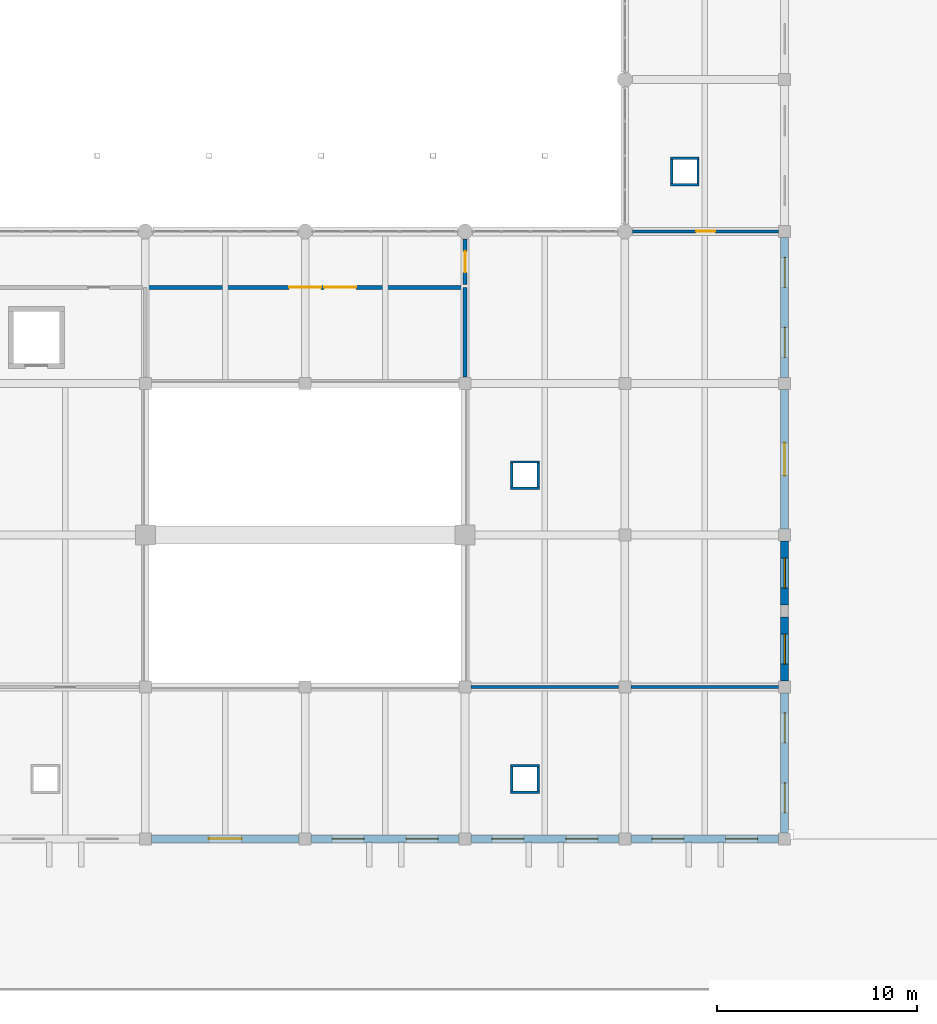
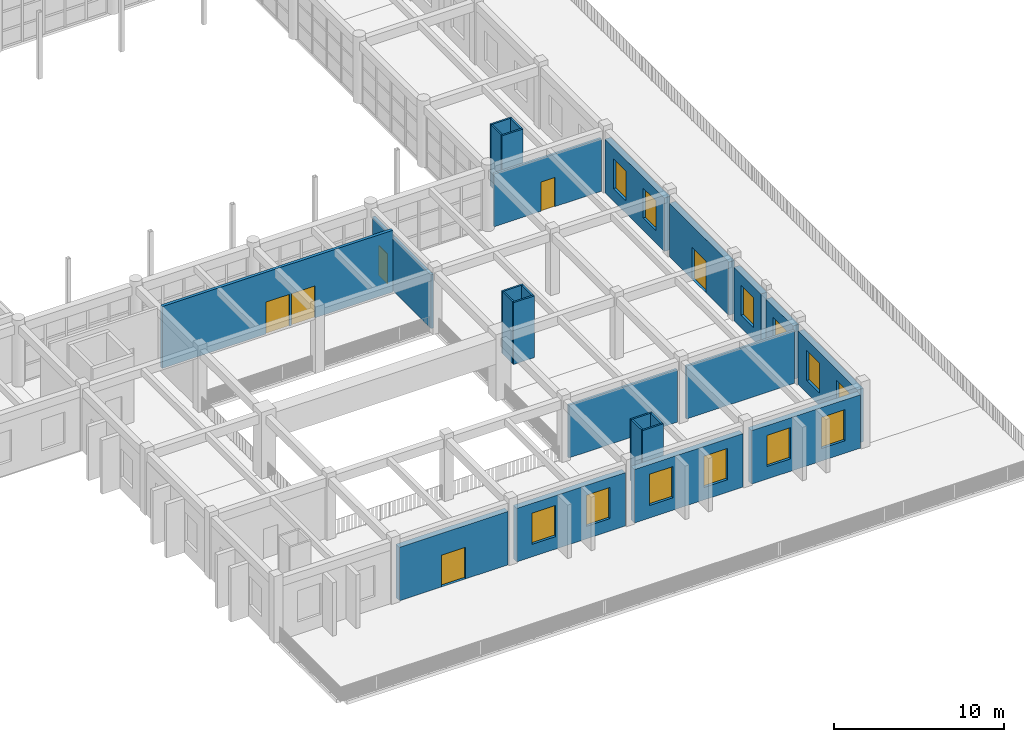
# One storey, part 81 of 101: 27 walls, 12 windows, 6 doors, 18 openings.
"""IFC4 building model written with IfcOpenShell, lengths in metres."""

from ifc_helpers import new_model, si_unit, direction, frame, frame_2d, origin, place, context, subcontext, project, spatial, rectangle, extrude, material, layer, layer_set, type_object, element, fill, save


model = new_model("IFC4")

# Units and contexts
model_context = context("Model", 3, precision=1e-05, world=origin(), true_north=direction((0.0, 1.0)))
body_context = subcontext(model_context, "Body", "Model", "MODEL_VIEW")
ifc_project = project(units=[si_unit("LENGTHUNIT", "METRE"), si_unit("AREAUNIT", "SQUARE_METRE"), si_unit("VOLUMEUNIT", "CUBIC_METRE"), si_unit("PLANEANGLEUNIT", "RADIAN"), si_unit("MASSUNIT", "GRAM", prefix="KILO")], contexts=[model_context])

# Site, building, storey
site_placement = place(None, origin())
site = spatial("IfcSite", under=ifc_project, at=site_placement, CompositionType="ELEMENT")
building_placement = place(site_placement, origin())
building = spatial("IfcBuilding", under=site, at=building_placement, Name="Zantavel Square City Hall", CompositionType="ELEMENT")
storey_placement = place(building_placement, frame((0.0, 0.0, 5.39990234375)))
storey = spatial("IfcBuildingStorey", under=building, at=storey_placement, Name="L02", CompositionType="ELEMENT", Elevation=5.39990234375)

# Wall, openings, windows
ifc_material_1 = material(Name="Cantera volcanic tuff stone", Category="masonry")
ifc_layer_1 = layer(ifc_material_1, 0.39990234375, Name="Cantera volcanic tuff stone")
ifc_layer_set_1 = layer_set([ifc_layer_1], Name="Cantera volcanic tuff stone")
wall_type_1 = type_object("IfcWallType", Name="Civic Pavilion Cantera Ashlar Wall 400mm", PredefinedType="STANDARD", material=ifc_layer_set_1)
wall_1_placement = place(storey_placement, frame((160.0, 37.699951171875, 0.0), z_axis=(0.0, 0.0, 1.0), x_axis=(0.0, -1.0, 0.0)))
wall_1 = element("IfcWall", 1, at=wall_1_placement, inside=storey, type_object=wall_type_1, Name="L02 Exterior Wall EW-L02-057", PredefinedType="STANDARD", context=body_context, shape_type="SweptSolid", body=[
    extrude(rectangle(XDim=7.0, YDim=0.39990234375, at=frame_2d((3.5, 0.0))), origin(), (0.0, 0.0, 1.0), 3.85009765625),
])
opening_1_placement = place(wall_1_placement, frame((1.0, 0.0, 0.89990234375)))
opening_1 = element("IfcOpeningElement", 2, at=opening_1_placement, cuts=wall_1, Name="Opening W-235", PredefinedType="OPENING", context=body_context, shape_type="SweptSolid", body=[
    extrude(rectangle(XDim=1.5, YDim=2.14990234375, at=frame_2d((0.75, 1.074951171875))), frame((0.0, 0.2099609375, 0.0), z_axis=(0.0, -1.0, 0.0), x_axis=(1.0, 0.0, 0.0)), (0.0, 0.0, 1.0), 0.419921875),
])
opening_2_placement = place(wall_1_placement, frame((4.5, 0.0, 0.89990234375)))
opening_2 = element("IfcOpeningElement", 3, at=opening_2_placement, cuts=wall_1, Name="Opening W-236", PredefinedType="OPENING", context=body_context, shape_type="SweptSolid", body=[
    extrude(rectangle(XDim=1.5, YDim=2.14990234375, at=frame_2d((0.75, 1.074951171875))), frame((0.0, 0.2099609375, 0.0), z_axis=(0.0, -1.0, 0.0), x_axis=(1.0, 0.0, 0.0)), (0.0, 0.0, 1.0), 0.419921875),
])
ifc_material_2 = material(Name="Tempered safety glass low-E double glazing", Category="glass")
window_type_1 = type_object("IfcWindowType", Name="Window Mezzanine Annex 1500x2150", PartitioningType="DOUBLE_PANEL_VERTICAL", PredefinedType="WINDOW", material=ifc_material_2)
window_1_placement = place(opening_1_placement, origin())
window_1 = element("IfcWindow", 4, at=window_1_placement, inside=storey, type_object=window_type_1, Name="L02 Window W-235", OverallHeight=2.14990234375, OverallWidth=1.5, PartitioningType="DOUBLE_PANEL_VERTICAL", PredefinedType="WINDOW", context=body_context, shape_type="SweptSolid", body=[
    extrude(rectangle(XDim=1.5, YDim=2.14990234375, at=frame_2d((0.75, 1.074951171875))), frame((0.0, 0.030029296875, 0.0), z_axis=(0.0, -1.0, 0.0), x_axis=(1.0, 0.0, 0.0)), (0.0, 0.0, 1.0), 0.06005859375),
])
fill(opening_1, window_1)
window_2_placement = place(opening_2_placement, origin())
window_2 = element("IfcWindow", 5, at=window_2_placement, inside=storey, type_object=window_type_1, Name="L02 Window W-236", OverallHeight=2.14990234375, OverallWidth=1.5, PartitioningType="DOUBLE_PANEL_VERTICAL", PredefinedType="WINDOW", context=body_context, shape_type="SweptSolid", body=[
    extrude(rectangle(XDim=1.5, YDim=2.14990234375, at=frame_2d((0.75, 1.074951171875))), frame((0.0, 0.030029296875, 0.0), z_axis=(0.0, -1.0, 0.0), x_axis=(1.0, 0.0, 0.0)), (0.0, 0.0, 1.0), 0.06005859375),
])
fill(opening_2, window_2)

# Wall, opening, door
wall_2_placement = place(storey_placement, frame((160.0, 30.10009765625, 0.0), z_axis=(0.0, 0.0, 1.0), x_axis=(0.0, -1.0, 0.0)))
wall_2 = element("IfcWall", 6, at=wall_2_placement, inside=storey, type_object=wall_type_1, Name="L02 Exterior Wall EW-L02-058", PredefinedType="STANDARD", context=body_context, shape_type="SweptSolid", body=[
    extrude(rectangle(XDim=7.0, YDim=0.39990234375, at=frame_2d((3.5, 0.0))), origin(), (0.0, 0.0, 1.0), 3.85009765625),
])
opening_3_placement = place(wall_2_placement, frame((2.679931640625, 0.0, 0.0)))
opening_3 = element("IfcOpeningElement", 7, at=opening_3_placement, cuts=wall_2, Name="Opening ED-019", PredefinedType="OPENING", context=body_context, shape_type="SweptSolid", body=[
    extrude(rectangle(XDim=1.639892578125, YDim=2.280029296875, at=frame_2d((0.81982421875, 1.14013671875))), frame((0.0, 0.2099609375, 0.0), z_axis=(0.0, -1.0, 0.0), x_axis=(1.0, 0.0, 0.0)), (0.0, 0.0, 1.0), 0.419921875),
])
ifc_material_3 = material(Name="Anodised aluminium 6063-T6", Category="aluminium")
door_type_1 = type_object("IfcDoorType", Name="Promenade Terrace Glazed Door 1640x2280", OperationType="NOTDEFINED", PredefinedType="DOOR", material=ifc_material_3)
door_1_placement = place(opening_3_placement, origin())
door_1 = element("IfcDoor", 8, at=door_1_placement, inside=storey, type_object=door_type_1, Name="East Promenade Lateral Terrace Door", OperationType="DOUBLE_DOOR_SINGLE_SWING", OverallHeight=2.280029296875, OverallWidth=1.639892578125, PredefinedType="DOOR", context=body_context, shape_type="SweptSolid", body=[
    extrude(rectangle(XDim=1.639892578125, YDim=2.280029296875, at=frame_2d((0.81982421875, 1.14013671875))), frame((0.0, 0.02490234375, 0.0), z_axis=(0.0, -1.0, 0.0), x_axis=(1.0, 0.0, 0.0)), (0.0, 0.0, 1.0), 0.050048828125),
])
fill(opening_3, door_1)

# Wall, opening, window
wall_3_placement = place(storey_placement, frame((160.0, 22.5, 0.0), z_axis=(0.0, 0.0, 1.0), x_axis=(0.0, -1.0, 0.0)))
wall_3 = element("IfcWall", 9, at=wall_3_placement, inside=storey, type_object=wall_type_1, Name="L02 Exterior Wall EW-L02-059", PredefinedType="STANDARD", context=body_context, shape_type="SweptSolid", body=[
    extrude(rectangle(XDim=3.199951171875, YDim=0.39990234375, at=frame_2d((1.60009765625, 0.0))), origin(), (0.0, 0.0, 1.0), 3.85009765625),
])
opening_4_placement = place(wall_3_placement, frame((0.85009765625, 0.0, 0.89990234375)))
opening_4 = element("IfcOpeningElement", 10, at=opening_4_placement, cuts=wall_3, Name="Opening W-237", PredefinedType="OPENING", context=body_context, shape_type="SweptSolid", body=[
    extrude(rectangle(XDim=1.5, YDim=2.14990234375, at=frame_2d((0.75, 1.074951171875))), frame((0.0, 0.2099609375, 0.0), z_axis=(0.0, -1.0, 0.0), x_axis=(1.0, 0.0, 0.0)), (0.0, 0.0, 1.0), 0.419921875),
])
window_3_placement = place(opening_4_placement, origin())
window_3 = element("IfcWindow", 11, at=window_3_placement, inside=storey, type_object=window_type_1, Name="L02 Window W-237", OverallHeight=2.14990234375, OverallWidth=1.5, PartitioningType="DOUBLE_PANEL_VERTICAL", PredefinedType="WINDOW", context=body_context, shape_type="SweptSolid", body=[
    extrude(rectangle(XDim=1.5, YDim=2.14990234375, at=frame_2d((0.75, 1.074951171875))), frame((0.0, 0.030029296875, 0.0), z_axis=(0.0, -1.0, 0.0), x_axis=(1.0, 0.0, 0.0)), (0.0, 0.0, 1.0), 0.06005859375),
])
fill(opening_4, window_3)

wall_4_placement = place(storey_placement, frame((160.0, 18.699951171875, 0.0), z_axis=(0.0, 0.0, 1.0), x_axis=(0.0, -1.0, 0.0)))
wall_4 = element("IfcWall", 12, at=wall_4_placement, inside=storey, type_object=wall_type_1, Name="L02 Exterior Wall EW-L02-060", PredefinedType="STANDARD", context=body_context, shape_type="SweptSolid", body=[
    extrude(rectangle(XDim=3.199951171875, YDim=0.39990234375, at=frame_2d((1.60009765625, 0.0))), origin(), (0.0, 0.0, 1.0), 3.85009765625),
])
opening_5_placement = place(wall_4_placement, frame((0.85009765625, 0.0, 0.89990234375)))
opening_5 = element("IfcOpeningElement", 13, at=opening_5_placement, cuts=wall_4, Name="Opening W-238", PredefinedType="OPENING", context=body_context, shape_type="SweptSolid", body=[
    extrude(rectangle(XDim=1.5, YDim=2.14990234375, at=frame_2d((0.75, 1.074951171875))), frame((0.0, 0.2099609375, 0.0), z_axis=(0.0, -1.0, 0.0), x_axis=(1.0, 0.0, 0.0)), (0.0, 0.0, 1.0), 0.419921875),
])
window_4_placement = place(opening_5_placement, origin())
window_4 = element("IfcWindow", 14, at=window_4_placement, inside=storey, type_object=window_type_1, Name="L02 Window W-238", OverallHeight=2.14990234375, OverallWidth=1.5, PartitioningType="DOUBLE_PANEL_VERTICAL", PredefinedType="WINDOW", context=body_context, shape_type="SweptSolid", body=[
    extrude(rectangle(XDim=1.5, YDim=2.14990234375, at=frame_2d((0.75, 1.074951171875))), frame((0.0, 0.030029296875, 0.0), z_axis=(0.0, -1.0, 0.0), x_axis=(1.0, 0.0, 0.0)), (0.0, 0.0, 1.0), 0.06005859375),
])
fill(opening_5, window_4)

# Wall, openings, windows
wall_5_placement = place(storey_placement, frame((160.0, 14.89990234375, 0.0), z_axis=(0.0, 0.0, 1.0), x_axis=(0.0, -1.0, 0.0)))
wall_5 = element("IfcWall", 15, at=wall_5_placement, inside=storey, type_object=wall_type_1, Name="L02 Exterior Wall EW-L02-061", PredefinedType="STANDARD", context=body_context, shape_type="SweptSolid", body=[
    extrude(rectangle(XDim=7.0, YDim=0.39990234375, at=frame_2d((3.5, 0.0))), origin(), (0.0, 0.0, 1.0), 3.85009765625),
])
opening_6_placement = place(wall_5_placement, frame((1.0, 0.0, 0.89990234375)))
opening_6 = element("IfcOpeningElement", 16, at=opening_6_placement, cuts=wall_5, Name="Opening W-239", PredefinedType="OPENING", context=body_context, shape_type="SweptSolid", body=[
    extrude(rectangle(XDim=1.5, YDim=2.14990234375, at=frame_2d((0.75, 1.074951171875))), frame((0.0, 0.2099609375, 0.0), z_axis=(0.0, -1.0, 0.0), x_axis=(1.0, 0.0, 0.0)), (0.0, 0.0, 1.0), 0.419921875),
])
opening_7_placement = place(wall_5_placement, frame((4.5, 0.0, 0.89990234375)))
opening_7 = element("IfcOpeningElement", 17, at=opening_7_placement, cuts=wall_5, Name="Opening W-240", PredefinedType="OPENING", context=body_context, shape_type="SweptSolid", body=[
    extrude(rectangle(XDim=1.5, YDim=2.14990234375, at=frame_2d((0.75, 1.074951171875))), frame((0.0, 0.2099609375, 0.0), z_axis=(0.0, -1.0, 0.0), x_axis=(1.0, 0.0, 0.0)), (0.0, 0.0, 1.0), 0.419921875),
])
window_5_placement = place(opening_6_placement, origin())
window_5 = element("IfcWindow", 18, at=window_5_placement, inside=storey, type_object=window_type_1, Name="L02 Window W-239", OverallHeight=2.14990234375, OverallWidth=1.5, PartitioningType="DOUBLE_PANEL_VERTICAL", PredefinedType="WINDOW", context=body_context, shape_type="SweptSolid", body=[
    extrude(rectangle(XDim=1.5, YDim=2.14990234375, at=frame_2d((0.75, 1.074951171875))), frame((0.0, 0.030029296875, 0.0), z_axis=(0.0, -1.0, 0.0), x_axis=(1.0, 0.0, 0.0)), (0.0, 0.0, 1.0), 0.06005859375),
])
fill(opening_6, window_5)
window_6_placement = place(opening_7_placement, origin())
window_6 = element("IfcWindow", 19, at=window_6_placement, inside=storey, type_object=window_type_1, Name="L02 Window W-240", OverallHeight=2.14990234375, OverallWidth=1.5, PartitioningType="DOUBLE_PANEL_VERTICAL", PredefinedType="WINDOW", context=body_context, shape_type="SweptSolid", body=[
    extrude(rectangle(XDim=1.5, YDim=2.14990234375, at=frame_2d((0.75, 1.074951171875))), frame((0.0, 0.030029296875, 0.0), z_axis=(0.0, -1.0, 0.0), x_axis=(1.0, 0.0, 0.0)), (0.0, 0.0, 1.0), 0.06005859375),
])
fill(opening_7, window_6)

wall_6_placement = place(storey_placement, frame((159.699951171875, 7.60009765625, 0.0), z_axis=(0.0, 0.0, 1.0), x_axis=(-1.0, 0.0, 0.0)))
wall_6 = element("IfcWall", 20, at=wall_6_placement, inside=storey, type_object=wall_type_1, Name="L02 Exterior Wall EW-L02-062", PredefinedType="STANDARD", context=body_context, shape_type="SweptSolid", body=[
    extrude(rectangle(XDim=7.39990234375, YDim=0.39990234375, at=frame_2d((3.699951171875, 0.0))), origin(), (0.0, 0.0, 1.0), 3.85009765625),
])
opening_8_placement = place(wall_6_placement, frame((1.050048828125, 0.0, 0.89990234375)))
opening_8 = element("IfcOpeningElement", 21, at=opening_8_placement, cuts=wall_6, Name="Opening W-241", PredefinedType="OPENING", context=body_context, shape_type="SweptSolid", body=[
    extrude(rectangle(XDim=1.60009765625, YDim=2.25, at=frame_2d((0.800048828125, 1.125))), frame((0.0, 0.2099609375, 0.0), z_axis=(0.0, -1.0, 0.0), x_axis=(1.0, 0.0, 0.0)), (0.0, 0.0, 1.0), 0.419921875),
])
opening_9_placement = place(wall_6_placement, frame((4.75, 0.0, 0.89990234375)))
opening_9 = element("IfcOpeningElement", 22, at=opening_9_placement, cuts=wall_6, Name="Opening W-242", PredefinedType="OPENING", context=body_context, shape_type="SweptSolid", body=[
    extrude(rectangle(XDim=1.60009765625, YDim=2.25, at=frame_2d((0.800048828125, 1.125))), frame((0.0, 0.2099609375, 0.0), z_axis=(0.0, -1.0, 0.0), x_axis=(1.0, 0.0, 0.0)), (0.0, 0.0, 1.0), 0.419921875),
])
window_type_2 = type_object("IfcWindowType", Name="Window Mezzanine Civic 1600x2250", PartitioningType="DOUBLE_PANEL_VERTICAL", PredefinedType="WINDOW", material=ifc_material_2)
window_7_placement = place(opening_8_placement, origin())
window_7 = element("IfcWindow", 23, at=window_7_placement, inside=storey, type_object=window_type_2, Name="L02 Window W-241", OverallHeight=2.25, OverallWidth=1.60009765625, PartitioningType="DOUBLE_PANEL_VERTICAL", PredefinedType="WINDOW", context=body_context, shape_type="SweptSolid", body=[
    extrude(rectangle(XDim=1.60009765625, YDim=2.25, at=frame_2d((0.800048828125, 1.125))), frame((0.0, 0.030029296875, 0.0), z_axis=(0.0, -1.0, 0.0), x_axis=(1.0, 0.0, 0.0)), (0.0, 0.0, 1.0), 0.06005859375),
])
fill(opening_8, window_7)
window_8_placement = place(opening_9_placement, origin())
window_8 = element("IfcWindow", 24, at=window_8_placement, inside=storey, type_object=window_type_2, Name="L02 Window W-242", OverallHeight=2.25, OverallWidth=1.60009765625, PartitioningType="DOUBLE_PANEL_VERTICAL", PredefinedType="WINDOW", context=body_context, shape_type="SweptSolid", body=[
    extrude(rectangle(XDim=1.60009765625, YDim=2.25, at=frame_2d((0.800048828125, 1.125))), frame((0.0, 0.030029296875, 0.0), z_axis=(0.0, -1.0, 0.0), x_axis=(1.0, 0.0, 0.0)), (0.0, 0.0, 1.0), 0.06005859375),
])
fill(opening_9, window_8)

wall_7_placement = place(storey_placement, frame((151.699951171875, 7.60009765625, 0.0), z_axis=(0.0, 0.0, 1.0), x_axis=(-1.0, 0.0, 0.0)))
wall_7 = element("IfcWall", 25, at=wall_7_placement, inside=storey, type_object=wall_type_1, Name="L02 Exterior Wall EW-L02-063", PredefinedType="STANDARD", context=body_context, shape_type="SweptSolid", body=[
    extrude(rectangle(XDim=7.39990234375, YDim=0.39990234375, at=frame_2d((3.699951171875, 0.0))), origin(), (0.0, 0.0, 1.0), 3.85009765625),
])
opening_10_placement = place(wall_7_placement, frame((1.050048828125, 0.0, 0.89990234375)))
opening_10 = element("IfcOpeningElement", 26, at=opening_10_placement, cuts=wall_7, Name="Opening W-243", PredefinedType="OPENING", context=body_context, shape_type="SweptSolid", body=[
    extrude(rectangle(XDim=1.60009765625, YDim=2.25, at=frame_2d((0.800048828125, 1.125))), frame((0.0, 0.2099609375, 0.0), z_axis=(0.0, -1.0, 0.0), x_axis=(1.0, 0.0, 0.0)), (0.0, 0.0, 1.0), 0.419921875),
])
opening_11_placement = place(wall_7_placement, frame((4.75, 0.0, 0.89990234375)))
opening_11 = element("IfcOpeningElement", 27, at=opening_11_placement, cuts=wall_7, Name="Opening W-244", PredefinedType="OPENING", context=body_context, shape_type="SweptSolid", body=[
    extrude(rectangle(XDim=1.60009765625, YDim=2.25, at=frame_2d((0.800048828125, 1.125))), frame((0.0, 0.2099609375, 0.0), z_axis=(0.0, -1.0, 0.0), x_axis=(1.0, 0.0, 0.0)), (0.0, 0.0, 1.0), 0.419921875),
])
window_9_placement = place(opening_10_placement, origin())
window_9 = element("IfcWindow", 28, at=window_9_placement, inside=storey, type_object=window_type_2, Name="L02 Window W-243", OverallHeight=2.25, OverallWidth=1.60009765625, PartitioningType="DOUBLE_PANEL_VERTICAL", PredefinedType="WINDOW", context=body_context, shape_type="SweptSolid", body=[
    extrude(rectangle(XDim=1.60009765625, YDim=2.25, at=frame_2d((0.800048828125, 1.125))), frame((0.0, 0.030029296875, 0.0), z_axis=(0.0, -1.0, 0.0), x_axis=(1.0, 0.0, 0.0)), (0.0, 0.0, 1.0), 0.06005859375),
])
fill(opening_10, window_9)
window_10_placement = place(opening_11_placement, origin())
window_10 = element("IfcWindow", 29, at=window_10_placement, inside=storey, type_object=window_type_2, Name="L02 Window W-244", OverallHeight=2.25, OverallWidth=1.60009765625, PartitioningType="DOUBLE_PANEL_VERTICAL", PredefinedType="WINDOW", context=body_context, shape_type="SweptSolid", body=[
    extrude(rectangle(XDim=1.60009765625, YDim=2.25, at=frame_2d((0.800048828125, 1.125))), frame((0.0, 0.030029296875, 0.0), z_axis=(0.0, -1.0, 0.0), x_axis=(1.0, 0.0, 0.0)), (0.0, 0.0, 1.0), 0.06005859375),
])
fill(opening_11, window_10)

wall_8_placement = place(storey_placement, frame((143.699951171875, 7.60009765625, 0.0), z_axis=(0.0, 0.0, 1.0), x_axis=(-1.0, 0.0, 0.0)))
wall_8 = element("IfcWall", 30, at=wall_8_placement, inside=storey, type_object=wall_type_1, Name="L02 Exterior Wall EW-L02-064", PredefinedType="STANDARD", context=body_context, shape_type="SweptSolid", body=[
    extrude(rectangle(XDim=7.39990234375, YDim=0.39990234375, at=frame_2d((3.699951171875, 0.0))), origin(), (0.0, 0.0, 1.0), 3.85009765625),
])
opening_12_placement = place(wall_8_placement, frame((1.050048828125, 0.0, 0.89990234375)))
opening_12 = element("IfcOpeningElement", 31, at=opening_12_placement, cuts=wall_8, Name="Opening W-245", PredefinedType="OPENING", context=body_context, shape_type="SweptSolid", body=[
    extrude(rectangle(XDim=1.60009765625, YDim=2.25, at=frame_2d((0.800048828125, 1.125))), frame((0.0, 0.2099609375, 0.0), z_axis=(0.0, -1.0, 0.0), x_axis=(1.0, 0.0, 0.0)), (0.0, 0.0, 1.0), 0.419921875),
])
opening_13_placement = place(wall_8_placement, frame((4.75, 0.0, 0.89990234375)))
opening_13 = element("IfcOpeningElement", 32, at=opening_13_placement, cuts=wall_8, Name="Opening W-246", PredefinedType="OPENING", context=body_context, shape_type="SweptSolid", body=[
    extrude(rectangle(XDim=1.60009765625, YDim=2.25, at=frame_2d((0.800048828125, 1.125))), frame((0.0, 0.2099609375, 0.0), z_axis=(0.0, -1.0, 0.0), x_axis=(1.0, 0.0, 0.0)), (0.0, 0.0, 1.0), 0.419921875),
])
window_11_placement = place(opening_12_placement, origin())
window_11 = element("IfcWindow", 33, at=window_11_placement, inside=storey, type_object=window_type_2, Name="L02 Window W-245", OverallHeight=2.25, OverallWidth=1.60009765625, PartitioningType="DOUBLE_PANEL_VERTICAL", PredefinedType="WINDOW", context=body_context, shape_type="SweptSolid", body=[
    extrude(rectangle(XDim=1.60009765625, YDim=2.25, at=frame_2d((0.800048828125, 1.125))), frame((0.0, 0.030029296875, 0.0), z_axis=(0.0, -1.0, 0.0), x_axis=(1.0, 0.0, 0.0)), (0.0, 0.0, 1.0), 0.06005859375),
])
fill(opening_12, window_11)
window_12_placement = place(opening_13_placement, origin())
window_12 = element("IfcWindow", 34, at=window_12_placement, inside=storey, type_object=window_type_2, Name="L02 Window W-246", OverallHeight=2.25, OverallWidth=1.60009765625, PartitioningType="DOUBLE_PANEL_VERTICAL", PredefinedType="WINDOW", context=body_context, shape_type="SweptSolid", body=[
    extrude(rectangle(XDim=1.60009765625, YDim=2.25, at=frame_2d((0.800048828125, 1.125))), frame((0.0, 0.030029296875, 0.0), z_axis=(0.0, -1.0, 0.0), x_axis=(1.0, 0.0, 0.0)), (0.0, 0.0, 1.0), 0.06005859375),
])
fill(opening_13, window_12)

# Wall, opening, door
wall_9_placement = place(storey_placement, frame((135.699951171875, 7.60009765625, 0.0), z_axis=(0.0, 0.0, 1.0), x_axis=(-1.0, 0.0, 0.0)))
wall_9 = element("IfcWall", 35, at=wall_9_placement, inside=storey, type_object=wall_type_1, Name="L02 Exterior Wall EW-L02-065", PredefinedType="STANDARD", context=body_context, shape_type="SweptSolid", body=[
    extrude(rectangle(XDim=7.39990234375, YDim=0.39990234375, at=frame_2d((3.699951171875, 0.0))), origin(), (0.0, 0.0, 1.0), 3.85009765625),
])
opening_14_placement = place(wall_9_placement, frame((2.8798828125, 0.0, 0.0)))
opening_14 = element("IfcOpeningElement", 36, at=opening_14_placement, cuts=wall_9, Name="Opening ED-020", PredefinedType="OPENING", context=body_context, shape_type="SweptSolid", body=[
    extrude(rectangle(XDim=1.639892578125, YDim=2.280029296875, at=frame_2d((0.81982421875, 1.14013671875))), frame((0.0, 0.2099609375, 0.0), z_axis=(0.0, -1.0, 0.0), x_axis=(1.0, 0.0, 0.0)), (0.0, 0.0, 1.0), 0.419921875),
])
door_2_placement = place(opening_14_placement, origin())
door_2 = element("IfcDoor", 37, at=door_2_placement, inside=storey, type_object=door_type_1, Name="East Promenade South Terrace Door", OperationType="DOUBLE_DOOR_SINGLE_SWING", OverallHeight=2.280029296875, OverallWidth=1.639892578125, PredefinedType="DOOR", context=body_context, shape_type="SweptSolid", body=[
    extrude(rectangle(XDim=1.639892578125, YDim=2.280029296875, at=frame_2d((0.81982421875, 1.14013671875))), frame((0.0, 0.02490234375, 0.0), z_axis=(0.0, -1.0, 0.0), x_axis=(1.0, 0.0, 0.0)), (0.0, 0.0, 1.0), 0.050048828125),
])
fill(opening_14, door_2)

# Wall
ifc_material_4 = material(Name="Gypsum acoustic stud assembly", Category="masonry")
ifc_layer_2 = layer(ifc_material_4, 0.179931640625, Name="Gypsum acoustic stud assembly")
ifc_layer_set_2 = layer_set([ifc_layer_2], Name="Gypsum acoustic stud assembly")
wall_type_2 = type_object("IfcWallType", Name="Council Acoustic Partition 180mm", PredefinedType="PARTITIONING", material=ifc_layer_set_2)
wall_10_placement = place(storey_placement, frame((144.0, 35.199951171875, 0.0), z_axis=(0.0, 0.0, 1.0), x_axis=(0.0, -1.0, 0.0)))
element("IfcWall", 38, at=wall_10_placement, inside=storey, type_object=wall_type_2, Name="L02 Interior Wall IW-L02-0184", PredefinedType="PARTITIONING", context=body_context, shape_type="SweptSolid", body=[
    extrude(rectangle(XDim=4.489990234375, YDim=0.179931640625, at=frame_2d((2.2451171875, 0.0))), origin(), (0.0, 0.0, 1.0), 3.8701171875),
])

# Wall, opening, door
ifc_layer_3 = layer(ifc_material_4, 0.14990234375, Name="Gypsum acoustic stud assembly")
ifc_layer_set_3 = layer_set([ifc_layer_3], Name="Gypsum acoustic stud assembly")
wall_type_3 = type_object("IfcWallType", Name="Department Office Partition 150mm", PredefinedType="PARTITIONING", material=ifc_layer_set_3)
wall_11_placement = place(storey_placement, frame((152.385009765625, 38.0, 0.0), z_axis=(0.0, 0.0, 1.0), x_axis=(1.0, 0.0, 0.0)))
wall_11 = element("IfcWall", 39, at=wall_11_placement, inside=storey, type_object=wall_type_3, Name="L02 Interior Wall IW-L02-0204", PredefinedType="PARTITIONING", context=body_context, shape_type="SweptSolid", body=[
    extrude(rectangle(XDim=7.304931640625, YDim=0.14990234375, at=frame_2d((3.65234375, 0.0))), origin(), (0.0, 0.0, 1.0), 3.800048828125),
])
opening_15_placement = place(wall_11_placement, frame((3.177490234375, 0.0, 0.0)))
opening_15 = element("IfcOpeningElement", 40, at=opening_15_placement, cuts=wall_11, Name="Opening D-0112", PredefinedType="OPENING", context=body_context, shape_type="SweptSolid", body=[
    extrude(rectangle(XDim=0.949951171875, YDim=2.10009765625, at=frame_2d((0.47509765625, 1.050048828125))), frame((0.0, 0.0849609375, 0.0), z_axis=(0.0, -1.0, 0.0), x_axis=(1.0, 0.0, 0.0)), (0.0, 0.0, 1.0), 0.169921875),
])
ifc_material_5 = material(Name="Solid oak hardwood", Category="wood")
door_type_2 = type_object("IfcDoorType", Name="Office Internal Oak Single Door 950x2100", OperationType="NOTDEFINED", PredefinedType="DOOR", material=ifc_material_5)
door_3_placement = place(opening_15_placement, origin())
door_3 = element("IfcDoor", 41, at=door_3_placement, inside=storey, type_object=door_type_2, Name="L02 Municipal Revenue Audit Office Door", OperationType="SINGLE_SWING_RIGHT", OverallHeight=2.10009765625, OverallWidth=0.949951171875, PredefinedType="DOOR", context=body_context, shape_type="SweptSolid", body=[
    extrude(rectangle(XDim=0.949951171875, YDim=2.10009765625, at=frame_2d((0.47509765625, 1.050048828125))), frame((0.0, 0.02490234375, 0.0), z_axis=(0.0, -1.0, 0.0), x_axis=(1.0, 0.0, 0.0)), (0.0, 0.0, 1.0), 0.050048828125),
])
fill(opening_15, door_3)

# Walls
for number, where, z_axis, x_axis, name in (
    (42, (159.68994140625, 15.199951171875, 0.0), (0.0, 0.0, 1.0), (-1.0, 0.0, 0.0), "L02 Interior Wall IW-L02-0205"),
    (43, (151.68994140625, 15.199951171875, 0.0), (0.0, 0.0, 1.0), (-1.0, 0.0, 0.0), "L02 Interior Wall IW-L02-0206"),
):
    element("IfcWall", number, at=place(storey_placement, frame(where, z_axis=z_axis, x_axis=x_axis)), inside=storey, type_object=wall_type_3, Name=name, PredefinedType="PARTITIONING", context=body_context, shape_type="SweptSolid", body=[
        extrude(rectangle(XDim=7.3798828125, YDim=0.14990234375, at=frame_2d((3.68994140625, 0.0))), origin(), (0.0, 0.0, 1.0), 3.800048828125),
    ])

# Wall, openings, doors
ifc_layer_4 = layer(ifc_material_1, 0.199951171875, Name="Cantera volcanic tuff stone")
ifc_layer_set_4 = layer_set([ifc_layer_4], Name="Cantera volcanic tuff stone")
wall_type_4 = type_object("IfcWallType", Name="Exit Corridor Rated Wall 200mm", PredefinedType="STANDARD", material=ifc_layer_set_4)
wall_12_placement = place(storey_placement, frame((128.139892578125, 35.199951171875, 0.0), z_axis=(0.0, 0.0, 1.0), x_axis=(1.0, 0.0, 0.0)))
wall_12 = element("IfcWall", 44, at=wall_12_placement, inside=storey, type_object=wall_type_4, Name="L02 Interior Wall IW-L02-0185", PredefinedType="STANDARD", context=body_context, shape_type="SweptSolid", body=[
    extrude(rectangle(XDim=15.72021484375, YDim=0.199951171875, at=frame_2d((7.860107421875, 0.0))), origin(), (0.0, 0.0, 1.0), 4.4501953125),
])
opening_16_placement = place(wall_12_placement, frame((7.06005859375, 0.0, 0.0)))
opening_16 = element("IfcOpeningElement", 45, at=opening_16_placement, cuts=wall_12, Name="Opening D-0083", PredefinedType="OPENING", context=body_context, shape_type="SweptSolid", body=[
    extrude(rectangle(XDim=1.60009765625, YDim=2.300048828125, at=frame_2d((0.800048828125, 1.14990234375))), frame((0.0, 0.10986328125, 0.0), z_axis=(0.0, -1.0, 0.0), x_axis=(1.0, 0.0, 0.0)), (0.0, 0.0, 1.0), 0.219970703125),
])
opening_17_placement = place(wall_12_placement, frame((8.81005859375, 0.0, 0.0)))
opening_17 = element("IfcOpeningElement", 46, at=opening_17_placement, cuts=wall_12, Name="Opening D-0104", PredefinedType="OPENING", context=body_context, shape_type="SweptSolid", body=[
    extrude(rectangle(XDim=1.60009765625, YDim=2.300048828125, at=frame_2d((0.800048828125, 1.14990234375))), frame((0.0, 0.10986328125, 0.0), z_axis=(0.0, -1.0, 0.0), x_axis=(1.0, 0.0, 0.0)), (0.0, 0.0, 1.0), 0.219970703125),
])
door_type_3 = type_object("IfcDoorType", Name="Committee Suite Fire Double Door 1600x2300 FD60S", OperationType="NOTDEFINED", PredefinedType="DOOR", material=ifc_material_5)
door_4_placement = place(opening_16_placement, origin())
door_4 = element("IfcDoor", 47, at=door_4_placement, inside=storey, type_object=door_type_3, Name="L02 Citizen Mediation Rooms Door", OperationType="DOUBLE_DOOR_SINGLE_SWING", OverallHeight=2.300048828125, OverallWidth=1.60009765625, PredefinedType="DOOR", context=body_context, shape_type="SweptSolid", body=[
    extrude(rectangle(XDim=1.60009765625, YDim=2.300048828125, at=frame_2d((0.800048828125, 1.14990234375))), frame((0.0, 0.02490234375, 0.0), z_axis=(0.0, -1.0, 0.0), x_axis=(1.0, 0.0, 0.0)), (0.0, 0.0, 1.0), 0.050048828125),
])
fill(opening_16, door_4)
door_5_placement = place(opening_17_placement, origin())
door_5 = element("IfcDoor", 48, at=door_5_placement, inside=storey, type_object=door_type_3, Name="L02 Citizen Mediation Rooms Door", OperationType="DOUBLE_DOOR_SINGLE_SWING", OverallHeight=2.300048828125, OverallWidth=1.60009765625, PredefinedType="DOOR", context=body_context, shape_type="SweptSolid", body=[
    extrude(rectangle(XDim=1.60009765625, YDim=2.300048828125, at=frame_2d((0.800048828125, 1.14990234375))), frame((0.0, 0.02490234375, 0.0), z_axis=(0.0, -1.0, 0.0), x_axis=(1.0, 0.0, 0.0)), (0.0, 0.0, 1.0), 0.050048828125),
])
fill(opening_17, door_5)

# Wall, opening, door
wall_13_placement = place(storey_placement, frame((144.0, 35.340087890625, 0.0), z_axis=(0.0, 0.0, 1.0), x_axis=(0.0, 1.0, 0.0)))
wall_13 = element("IfcWall", 49, at=wall_13_placement, inside=storey, type_object=wall_type_4, Name="L02 Interior Wall IW-L02-0207", PredefinedType="STANDARD", context=body_context, shape_type="SweptSolid", body=[
    extrude(rectangle(XDim=2.27490234375, YDim=0.199951171875, at=frame_2d((1.137451171875, 0.0))), origin(), (0.0, 0.0, 1.0), 3.8701171875),
])
opening_18_placement = place(wall_13_placement, frame((0.612548828125, 0.0, 0.0)))
opening_18 = element("IfcOpeningElement", 50, at=opening_18_placement, cuts=wall_13, Name="Opening D-0092", PredefinedType="OPENING", context=body_context, shape_type="SweptSolid", body=[
    extrude(rectangle(XDim=1.050048828125, YDim=2.14990234375, at=frame_2d((0.52490234375, 1.074951171875))), frame((0.0, 0.10986328125, 0.0), z_axis=(0.0, -1.0, 0.0), x_axis=(1.0, 0.0, 0.0)), (0.0, 0.0, 1.0), 0.219970703125),
])
door_type_4 = type_object("IfcDoorType", Name="Corridor Office Oak Fire Door 1050x2150 FD60S", OperationType="NOTDEFINED", PredefinedType="DOOR", material=ifc_material_5)
door_6_placement = place(opening_18_placement, origin())
door_6 = element("IfcDoor", 51, at=door_6_placement, inside=storey, type_object=door_type_4, Name="L02 Passport and Civil Records Suite Door", OperationType="SINGLE_SWING_RIGHT", OverallHeight=2.14990234375, OverallWidth=1.050048828125, PredefinedType="DOOR", context=body_context, shape_type="SweptSolid", body=[
    extrude(rectangle(XDim=1.050048828125, YDim=2.14990234375, at=frame_2d((0.52490234375, 1.074951171875))), frame((0.0, 0.02490234375, 0.0), z_axis=(0.0, -1.0, 0.0), x_axis=(1.0, 0.0, 0.0)), (0.0, 0.0, 1.0), 0.050048828125),
])
fill(opening_18, door_6)

# Walls
ifc_material_6 = material(Name="Concrete C35/45", Category="concrete")
ifc_layer_5 = layer(ifc_material_6, 0.1201171875, Name="Concrete C35/45")
ifc_layer_set_5 = layer_set([ifc_layer_5], Name="Concrete C35/45")
wall_type_5 = type_object("IfcWallType", Name="Riser Chase Wall RC 120mm C35/45", PredefinedType="PARTITIONING", material=ifc_layer_set_5)
wall_14_placement = place(storey_placement, frame((147.719970703125, 9.93994140625, 0.0), z_axis=(0.0, 0.0, 1.0), x_axis=(-1.0, 0.0, 0.0)))
element("IfcWall", 52, at=wall_14_placement, inside=storey, type_object=wall_type_5, Name="L02 MEP Riser 05 Wall S", PredefinedType="PARTITIONING", context=body_context, shape_type="SweptSolid", body=[
    extrude(rectangle(XDim=1.43994140625, YDim=0.1201171875, at=frame_2d((0.719970703125, 0.0))), origin(), (0.0, 0.0, 1.0), 4.4501953125),
])
wall_15_placement = place(storey_placement, frame((146.340087890625, 10.0, 0.0), z_axis=(0.0, 0.0, 1.0), x_axis=(0.0, 1.0, 0.0)))
element("IfcWall", 53, at=wall_15_placement, inside=storey, type_object=wall_type_5, Name="L02 MEP Riser 05 Wall W", PredefinedType="PARTITIONING", context=body_context, shape_type="SweptSolid", body=[
    extrude(rectangle(XDim=1.199951171875, YDim=0.1201171875, at=frame_2d((0.60009765625, 0.0))), origin(), (0.0, 0.0, 1.0), 4.4501953125),
])
wall_16_placement = place(storey_placement, frame((146.280029296875, 11.260009765625, 0.0), z_axis=(0.0, 0.0, 1.0), x_axis=(1.0, 0.0, 0.0)))
element("IfcWall", 54, at=wall_16_placement, inside=storey, type_object=wall_type_5, Name="L02 MEP Riser 05 Wall N", PredefinedType="PARTITIONING", context=body_context, shape_type="SweptSolid", body=[
    extrude(rectangle(XDim=1.43994140625, YDim=0.1201171875, at=frame_2d((0.719970703125, 0.0))), origin(), (0.0, 0.0, 1.0), 4.4501953125),
])
wall_17_placement = place(storey_placement, frame((147.659912109375, 11.199951171875, 0.0), z_axis=(0.0, 0.0, 1.0), x_axis=(0.0, -1.0, 0.0)))
element("IfcWall", 55, at=wall_17_placement, inside=storey, type_object=wall_type_5, Name="L02 MEP Riser 05 Wall E", PredefinedType="PARTITIONING", context=body_context, shape_type="SweptSolid", body=[
    extrude(rectangle(XDim=1.199951171875, YDim=0.1201171875, at=frame_2d((0.60009765625, 0.0))), origin(), (0.0, 0.0, 1.0), 4.4501953125),
])
wall_18_placement = place(storey_placement, frame((147.719970703125, 25.139892578125, 0.0), z_axis=(0.0, 0.0, 1.0), x_axis=(-1.0, 0.0, 0.0)))
element("IfcWall", 56, at=wall_18_placement, inside=storey, type_object=wall_type_5, Name="L02 MEP Riser 06 Wall S", PredefinedType="PARTITIONING", context=body_context, shape_type="SweptSolid", body=[
    extrude(rectangle(XDim=1.43994140625, YDim=0.1201171875, at=frame_2d((0.719970703125, 0.0))), origin(), (0.0, 0.0, 1.0), 4.4501953125),
])
wall_19_placement = place(storey_placement, frame((146.340087890625, 25.199951171875, 0.0), z_axis=(0.0, 0.0, 1.0), x_axis=(0.0, 1.0, 0.0)))
element("IfcWall", 57, at=wall_19_placement, inside=storey, type_object=wall_type_5, Name="L02 MEP Riser 06 Wall W", PredefinedType="PARTITIONING", context=body_context, shape_type="SweptSolid", body=[
    extrude(rectangle(XDim=1.199951171875, YDim=0.1201171875, at=frame_2d((0.60009765625, 0.0))), origin(), (0.0, 0.0, 1.0), 4.4501953125),
])
wall_20_placement = place(storey_placement, frame((146.280029296875, 26.4599609375, 0.0), z_axis=(0.0, 0.0, 1.0), x_axis=(1.0, 0.0, 0.0)))
element("IfcWall", 58, at=wall_20_placement, inside=storey, type_object=wall_type_5, Name="L02 MEP Riser 06 Wall N", PredefinedType="PARTITIONING", context=body_context, shape_type="SweptSolid", body=[
    extrude(rectangle(XDim=1.43994140625, YDim=0.1201171875, at=frame_2d((0.719970703125, 0.0))), origin(), (0.0, 0.0, 1.0), 4.4501953125),
])
wall_21_placement = place(storey_placement, frame((147.659912109375, 26.39990234375, 0.0), z_axis=(0.0, 0.0, 1.0), x_axis=(0.0, -1.0, 0.0)))
element("IfcWall", 59, at=wall_21_placement, inside=storey, type_object=wall_type_5, Name="L02 MEP Riser 06 Wall E", PredefinedType="PARTITIONING", context=body_context, shape_type="SweptSolid", body=[
    extrude(rectangle(XDim=1.199951171875, YDim=0.1201171875, at=frame_2d((0.60009765625, 0.0))), origin(), (0.0, 0.0, 1.0), 4.4501953125),
])
wall_22_placement = place(storey_placement, frame((155.719970703125, 40.340087890625, 0.0), z_axis=(0.0, 0.0, 1.0), x_axis=(-1.0, 0.0, 0.0)))
element("IfcWall", 60, at=wall_22_placement, inside=storey, type_object=wall_type_5, Name="L02 MEP Riser 07 Wall S", PredefinedType="PARTITIONING", context=body_context, shape_type="SweptSolid", body=[
    extrude(rectangle(XDim=1.43994140625, YDim=0.1201171875, at=frame_2d((0.719970703125, 0.0))), origin(), (0.0, 0.0, 1.0), 4.4501953125),
])
wall_23_placement = place(storey_placement, frame((154.340087890625, 40.39990234375, 0.0), z_axis=(0.0, 0.0, 1.0), x_axis=(0.0, 1.0, 0.0)))
element("IfcWall", 61, at=wall_23_placement, inside=storey, type_object=wall_type_5, Name="L02 MEP Riser 07 Wall W", PredefinedType="PARTITIONING", context=body_context, shape_type="SweptSolid", body=[
    extrude(rectangle(XDim=1.2001953125, YDim=0.1201171875, at=frame_2d((0.60009765625, 0.0))), origin(), (0.0, 0.0, 1.0), 4.4501953125),
])
wall_24_placement = place(storey_placement, frame((154.280029296875, 41.659912109375, 0.0), z_axis=(0.0, 0.0, 1.0), x_axis=(1.0, 0.0, 0.0)))
element("IfcWall", 62, at=wall_24_placement, inside=storey, type_object=wall_type_5, Name="L02 MEP Riser 07 Wall N", PredefinedType="PARTITIONING", context=body_context, shape_type="SweptSolid", body=[
    extrude(rectangle(XDim=1.43994140625, YDim=0.1201171875, at=frame_2d((0.719970703125, 0.0))), origin(), (0.0, 0.0, 1.0), 4.4501953125),
])
wall_25_placement = place(storey_placement, frame((155.659912109375, 41.60009765625, 0.0), z_axis=(0.0, 0.0, 1.0), x_axis=(0.0, -1.0, 0.0)))
element("IfcWall", 63, at=wall_25_placement, inside=storey, type_object=wall_type_5, Name="L02 MEP Riser 07 Wall E", PredefinedType="PARTITIONING", context=body_context, shape_type="SweptSolid", body=[
    extrude(rectangle(XDim=1.2001953125, YDim=0.1201171875, at=frame_2d((0.60009765625, 0.0))), origin(), (0.0, 0.0, 1.0), 4.4501953125),
])

save(model, "model.ifc")
